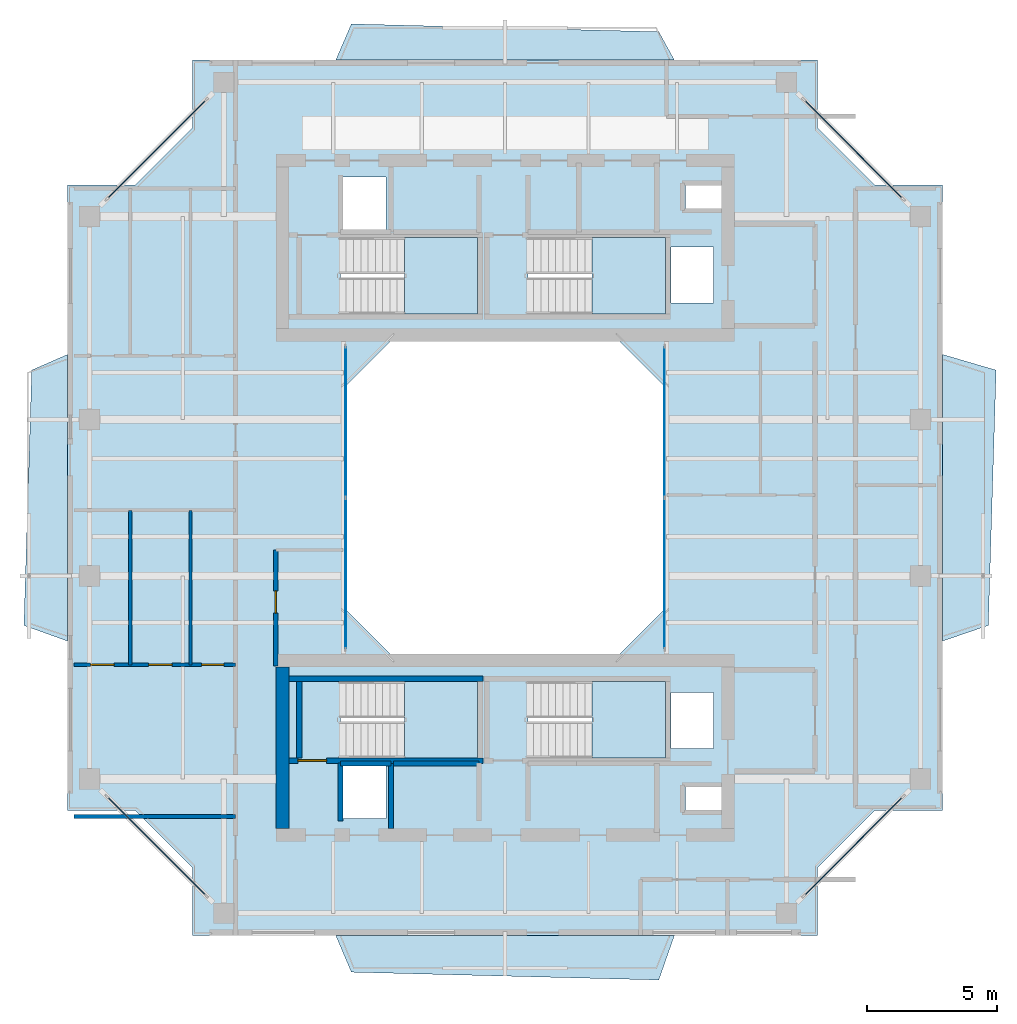
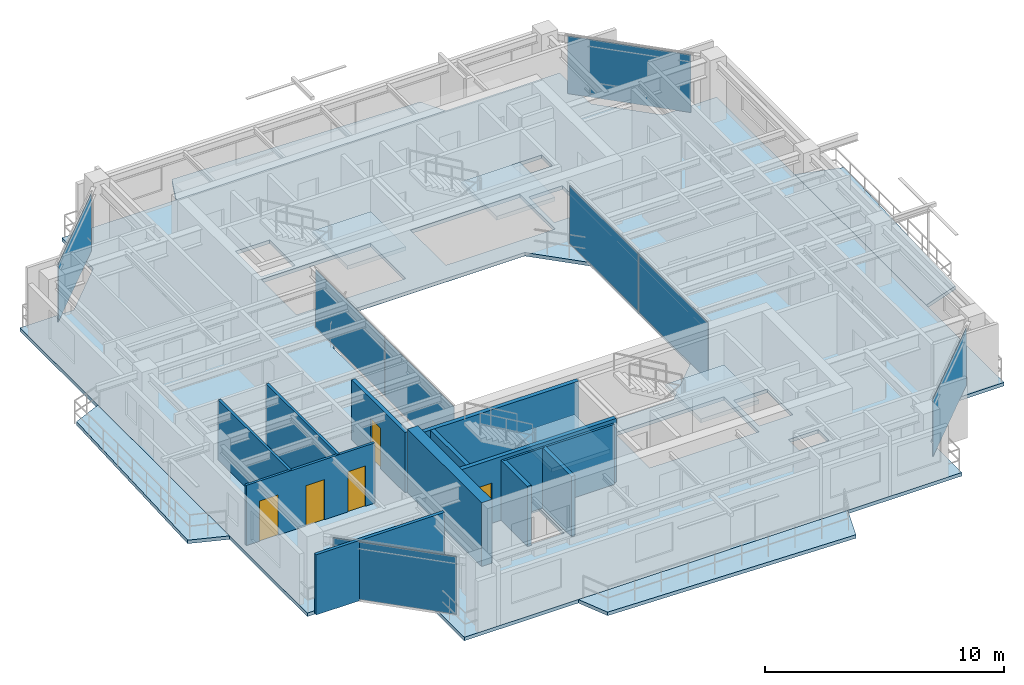
# One storey, part 9 of 16: 13 walls, 9 slabs, 8 plates, 5 doors, 5 openings, 10 elements without a shape of their own.
"""IFC4 building model written with IfcOpenShell, lengths in metres."""

from ifc_helpers import new_model, si_unit, direction, frame, frame_2d, origin, origin_2d, place, context, subcontext, project, spatial, polyline, rectangle, outline, extrude, source, transform, mapped, material, layer, layer_set, type_object, element, fill, aggregate, save


model = new_model("IFC4")

# Units and contexts
model_context = context("Model", 3, precision=1e-05, world=origin(), true_north=direction((0.0, 1.0)))
body_context = subcontext(model_context, "Body", "Model", "MODEL_VIEW")
ifc_project = project(units=[si_unit("LENGTHUNIT", "METRE"), si_unit("AREAUNIT", "SQUARE_METRE"), si_unit("VOLUMEUNIT", "CUBIC_METRE"), si_unit("PLANEANGLEUNIT", "RADIAN"), si_unit("MASSUNIT", "GRAM", prefix="KILO"), si_unit("THERMODYNAMICTEMPERATUREUNIT", "KELVIN"), si_unit("POWERUNIT", "WATT")], contexts=[model_context])

# Site, building, storey
site_placement = place(None, origin())
site = spatial("IfcSite", under=ifc_project, at=site_placement, CompositionType="ELEMENT")
building_placement = place(site_placement, origin())
building = spatial("IfcBuilding", under=site, at=building_placement, Name="Qiaomeng Ring Towers", CompositionType="ELEMENT")
storey_placement = place(building_placement, frame((0.0, 0.0, 197.0)))
storey = spatial("IfcBuildingStorey", under=building, at=storey_placement, Name="L57", CompositionType="ELEMENT", Elevation=197.0)

# Slabs
ifc_material_1 = material(Name="Concrete C40", Category="concrete")
ifc_layer_1 = layer(ifc_material_1, 0.179931640625, Name="Concrete C40")
ifc_layer_set_1 = layer_set([ifc_layer_1], Name="Concrete C40")
slab_type_1 = type_object("IfcSlabType", Name="STR-SL-180", PredefinedType="FLOOR", material=ifc_layer_set_1)
slab_1_placement = place(storey_placement, frame((0.0, 0.0, -0.179931640625)))
element("IfcSlab", 1, at=slab_1_placement, inside=storey, type_object=slab_type_1, Name="L57 Tower 1 Annular Floor Slab", PredefinedType="FLOOR", context=body_context, shape_type="SweptSolid", body=[
    extrude(outline(polyline([(7.0, 6.199951171875), (31.0, 6.199951171875), (31.0, 8.800048828125), (33.199951171875, 11.0), (35.800048828125, 11.0), (35.800048828125, 35.0), (33.199951171875, 35.0), (31.0, 37.199951171875), (31.0, 39.800048828125), (7.0, 39.800048828125), (7.0, 37.199951171875), (4.800048828125, 35.0), (2.199951171875, 35.0), (2.199951171875, 11.0), (4.800048828125, 11.0), (7.0, 8.800048828125), (7.0, 6.199951171875)]), holes=[polyline([(12.780029296875, 10.679931640625), (12.780029296875, 12.820068359375), (14.419921875, 12.820068359375), (14.419921875, 10.679931640625), (12.780029296875, 10.679931640625)]), polyline([(12.679931640625, 13.010009765625), (12.679931640625, 15.949951171875), (17.949951171875, 15.949951171875), (17.949951171875, 13.010009765625), (12.679931640625, 13.010009765625)]), polyline([(23.199951171875, 29.199951171875), (25.199951171875, 27.199951171875), (25.199951171875, 18.800048828125), (23.199951171875, 16.800048828125), (14.800048828125, 16.800048828125), (12.800048828125, 18.800048828125), (12.800048828125, 27.199951171875), (14.800048828125, 29.199951171875), (23.199951171875, 29.199951171875)]), polyline([(12.679931640625, 32.989990234375), (17.949951171875, 32.989990234375), (17.949951171875, 30.050048828125), (12.679931640625, 30.050048828125), (12.679931640625, 32.989990234375)]), polyline([(19.8798828125, 32.989990234375), (25.14990234375, 32.989990234375), (25.14990234375, 30.050048828125), (19.8798828125, 30.050048828125), (19.8798828125, 32.989990234375)]), polyline([(12.780029296875, 33.179931640625), (12.780029296875, 35.320068359375), (14.419921875, 35.320068359375), (14.419921875, 33.179931640625), (12.780029296875, 33.179931640625)]), polyline([(25.919921875, 11.89990234375), (27.360107421875, 11.89990234375), (27.360107421875, 11.0), (25.919921875, 11.0), (25.919921875, 11.89990234375)]), polyline([(25.360107421875, 15.52001953125), (27.0, 15.52001953125), (27.0, 13.3798828125), (25.360107421875, 13.3798828125), (25.360107421875, 15.52001953125)]), polyline([(19.8798828125, 13.010009765625), (19.8798828125, 15.949951171875), (25.14990234375, 15.949951171875), (25.14990234375, 13.010009765625), (19.8798828125, 13.010009765625)]), polyline([(25.360107421875, 32.6201171875), (27.0, 32.6201171875), (27.0, 30.47998046875), (25.360107421875, 30.47998046875), (25.360107421875, 32.6201171875)]), polyline([(25.919921875, 35.0), (27.360107421875, 35.0), (27.360107421875, 34.10009765625), (25.919921875, 34.10009765625), (25.919921875, 35.0)])]), origin(), (0.0, 0.0, 1.0), 0.179931640625),
])
ifc_layer_2 = layer(ifc_material_1, 0.179931640625, Name="Concrete C40")
ifc_layer_set_2 = layer_set([ifc_layer_2], Name="Concrete C40")
slab_type_2 = type_object("IfcSlabType", Name="STR-SL-BAL", PredefinedType="FLOOR", material=ifc_layer_set_2)
slab_2_placement = place(storey_placement, frame((0.0, 0.0, -0.179931640625)))
element("IfcSlab", 2, at=slab_2_placement, inside=storey, type_object=slab_type_2, Name="L57 Tower 1 S Faceted Balcony Slab", PredefinedType="FLOOR", context=body_context, shape_type="SweptSolid", body=[
    extrude(outline(polyline([(25.5, 6.199951171875), (24.89990234375, 4.489990234375), (13.10009765625, 4.7900390625), (12.5, 6.199951171875), (25.5, 6.199951171875)])), origin(), (0.0, 0.0, 1.0), 0.179931640625),
])
slab_3_placement = place(storey_placement, frame((0.0, 0.0, -0.179931640625)))
element("IfcSlab", 3, at=slab_3_placement, inside=storey, type_object=slab_type_2, Name="L57 Tower 1 E Faceted Balcony Slab", PredefinedType="FLOOR", context=body_context, shape_type="SweptSolid", body=[
    extrude(outline(polyline([(37.85009765625, 27.89990234375), (37.550048828125, 18.10009765625), (35.800048828125, 17.5), (35.800048828125, 28.5), (37.85009765625, 27.89990234375)])), origin(), (0.0, 0.0, 1.0), 0.179931640625),
])
slab_4_placement = place(storey_placement, frame((0.0, 0.0, -0.179931640625)))
element("IfcSlab", 4, at=slab_4_placement, inside=storey, type_object=slab_type_2, Name="L57 Tower 1 N Faceted Balcony Slab", PredefinedType="FLOOR", context=body_context, shape_type="SweptSolid", body=[
    extrude(outline(polyline([(12.5, 39.800048828125), (13.10009765625, 41.18994140625), (24.89990234375, 40.889892578125), (25.5, 39.800048828125), (12.5, 39.800048828125)])), origin(), (0.0, 0.0, 1.0), 0.179931640625),
])
slab_5_placement = place(storey_placement, frame((0.0, 0.0, -0.179931640625)))
element("IfcSlab", 5, at=slab_5_placement, inside=storey, type_object=slab_type_2, Name="L57 Tower 1 W Faceted Balcony Slab", PredefinedType="FLOOR", context=body_context, shape_type="SweptSolid", body=[
    extrude(outline(polyline([(0.530029296875, 18.10009765625), (0.830078125, 27.89990234375), (2.199951171875, 28.5), (2.199951171875, 17.5), (0.530029296875, 18.10009765625)])), origin(), (0.0, 0.0, 1.0), 0.179931640625),
])

# Stair, slab
ifc_material_2 = material(Name="Precast concrete C40", Category="concrete")
stair_type = type_object("IfcStairType", Name="ARC-ST-325", PredefinedType="HALF_TURN_STAIR", material=ifc_material_2)
stair_1_placement = place(storey_placement, origin())
stair_1 = element("IfcStair", 6, at=stair_1_placement, inside=storey, type_object=stair_type, Name="L57 Tower 1 North Stair 1", PredefinedType="HALF_TURN_STAIR")
ifc_layer_3 = layer(ifc_material_1, 0.199951171875, Name="Concrete C40")
ifc_layer_set_3 = layer_set([ifc_layer_3], Name="Concrete C40")
slab_type_3 = type_object("IfcSlabType", Name="STR-SL-LANDING", PredefinedType="LANDING", material=ifc_layer_set_3)
slab_6_placement = place(storey_placement, frame((0.0, 0.0, 1.425048828125)))
slab_6 = element("IfcSlab", 7, at=slab_6_placement, type_object=slab_type_3, Name="ST1 landing 1", PredefinedType="LANDING", context=body_context, shape_type="SweptSolid", body=[
    extrude(outline(polyline([(15.139892578125, 30.050048828125), (17.949951171875, 30.050048828125), (17.949951171875, 32.989990234375), (15.139892578125, 32.989990234375), (15.139892578125, 30.050048828125)])), origin(), (0.0, 0.0, 1.0), 0.199951171875),
])
aggregate(stair_1, [slab_6])

stair_2_placement = place(storey_placement, origin())
stair_2 = element("IfcStair", 8, at=stair_2_placement, inside=storey, type_object=stair_type, Name="L57 Tower 1 North Stair 2", PredefinedType="HALF_TURN_STAIR")
slab_7_placement = place(storey_placement, frame((0.0, 0.0, 1.425048828125)))
slab_7 = element("IfcSlab", 9, at=slab_7_placement, type_object=slab_type_3, Name="ST2 landing 1", PredefinedType="LANDING", context=body_context, shape_type="SweptSolid", body=[
    extrude(outline(polyline([(22.340087890625, 30.050048828125), (25.14990234375, 30.050048828125), (25.14990234375, 32.989990234375), (22.340087890625, 32.989990234375), (22.340087890625, 30.050048828125)])), origin(), (0.0, 0.0, 1.0), 0.199951171875),
])
aggregate(stair_2, [slab_7])

stair_3_placement = place(storey_placement, origin())
stair_3 = element("IfcStair", 10, at=stair_3_placement, inside=storey, type_object=stair_type, Name="L57 Tower 1 South Stair 3", PredefinedType="HALF_TURN_STAIR")
slab_8_placement = place(storey_placement, frame((0.0, 0.0, 1.425048828125)))
slab_8 = element("IfcSlab", 11, at=slab_8_placement, type_object=slab_type_3, Name="ST3 landing 1", PredefinedType="LANDING", context=body_context, shape_type="SweptSolid", body=[
    extrude(outline(polyline([(15.139892578125, 13.010009765625), (17.949951171875, 13.010009765625), (17.949951171875, 15.949951171875), (15.139892578125, 15.949951171875), (15.139892578125, 13.010009765625)])), origin(), (0.0, 0.0, 1.0), 0.199951171875),
])
aggregate(stair_3, [slab_8])

stair_4_placement = place(storey_placement, origin())
stair_4 = element("IfcStair", 12, at=stair_4_placement, inside=storey, type_object=stair_type, Name="L57 Tower 1 South Stair 4", PredefinedType="HALF_TURN_STAIR")
slab_9_placement = place(storey_placement, frame((0.0, 0.0, 1.425048828125)))
slab_9 = element("IfcSlab", 13, at=slab_9_placement, type_object=slab_type_3, Name="ST4 landing 1", PredefinedType="LANDING", context=body_context, shape_type="SweptSolid", body=[
    extrude(outline(polyline([(22.340087890625, 13.010009765625), (25.14990234375, 13.010009765625), (25.14990234375, 15.949951171875), (22.340087890625, 15.949951171875), (22.340087890625, 13.010009765625)])), origin(), (0.0, 0.0, 1.0), 0.199951171875),
])
aggregate(stair_4, [slab_9])

# Curtain wall, plates
ifc_material_3 = material(Name="Fluorocarbon dark-grey aluminium", Category="aluminium")
ifc_layer_4 = layer(ifc_material_3, 0.139892578125, Name="Fluorocarbon dark-grey aluminium")
ifc_layer_set_4 = layer_set([ifc_layer_4], Name="Fluorocarbon dark-grey aluminium")
curtain_wall_type_1 = type_object("IfcCurtainWallType", Name="ARC-CW-4", PredefinedType="NOTDEFINED", material=ifc_layer_set_4)
curtain_wall_1_placement = place(storey_placement, origin())
curtain_wall_1 = element("IfcCurtainWall", 14, at=curtain_wall_1_placement, inside=storey, type_object=curtain_wall_type_1, Name="L57 Curtain Wall CW4", PredefinedType="NOTDEFINED")
ifc_material_4 = material(Name="Low-E dark-grey laminated double glazing", Category="glass")
ifc_layer_5 = layer(ifc_material_4, 0.028076171875, Name="Low-E dark-grey laminated double glazing")
ifc_layer_set_5 = layer_set([ifc_layer_5], Name="Low-E dark-grey laminated double glazing")
plate_type = type_object("IfcPlateType", Name="ARC-CWP-DARK", PredefinedType="CURTAIN_PANEL", material=ifc_layer_set_5)
shared_shape_1 = source(origin(), body_context, "Body", "SweptSolid", [
    extrude(rectangle(XDim=5.75244140625, YDim=0.028076171875, at=origin_2d()), origin(), (0.0, 0.0, 1.0), 2.93994140625),
])
plate_1_placement = place(storey_placement, frame((12.8798828125, 20.09130859375, 0.06494140625), z_axis=(0.0, 0.0, 1.0), x_axis=(0.0, 1.0, 0.0)))
plate_1 = element("IfcPlate", 15, at=plate_1_placement, type_object=plate_type, Name="CW4 panel 1.1", PredefinedType="CURTAIN_PANEL", context=body_context, shape_type="MappedRepresentation", body=[
    mapped(shared_shape_1, transform((0.0, 0.0, 0.0), x_axis=(1.0, 0.0, 0.0), y_axis=(0.0, 1.0, 0.0), z_axis=(0.0, 0.0, 1.0), scale=1.0)),
])
plate_2_placement = place(storey_placement, frame((12.8798828125, 25.90869140625, 0.06494140625), z_axis=(0.0, 0.0, 1.0), x_axis=(0.0, 1.0, 0.0)))
plate_2 = element("IfcPlate", 16, at=plate_2_placement, type_object=plate_type, Name="CW4 panel 2.1", PredefinedType="CURTAIN_PANEL", context=body_context, shape_type="MappedRepresentation", body=[
    mapped(shared_shape_1, transform((0.0, 0.0, 0.0), x_axis=(1.0, 0.0, 0.0), y_axis=(0.0, 1.0, 0.0), z_axis=(0.0, 0.0, 1.0), scale=1.0)),
])
aggregate(curtain_wall_1, [plate_1, plate_2])

curtain_wall_2_placement = place(storey_placement, origin())
curtain_wall_2 = element("IfcCurtainWall", 17, at=curtain_wall_2_placement, inside=storey, type_object=curtain_wall_type_1, Name="L57 Curtain Wall CW4", PredefinedType="NOTDEFINED")
plate_3_placement = place(storey_placement, frame((25.1201171875, 20.09130859375, 0.06494140625), z_axis=(0.0, 0.0, 1.0), x_axis=(0.0, 1.0, 0.0)))
plate_3 = element("IfcPlate", 18, at=plate_3_placement, type_object=plate_type, Name="CW4 panel 1.1", PredefinedType="CURTAIN_PANEL", context=body_context, shape_type="MappedRepresentation", body=[
    mapped(shared_shape_1, transform((0.0, 0.0, 0.0), x_axis=(1.0, 0.0, 0.0), y_axis=(0.0, 1.0, 0.0), z_axis=(0.0, 0.0, 1.0), scale=1.0)),
])
plate_4_placement = place(storey_placement, frame((25.1201171875, 25.90869140625, 0.06494140625), z_axis=(0.0, 0.0, 1.0), x_axis=(0.0, 1.0, 0.0)))
plate_4 = element("IfcPlate", 19, at=plate_4_placement, type_object=plate_type, Name="CW4 panel 2.1", PredefinedType="CURTAIN_PANEL", context=body_context, shape_type="MappedRepresentation", body=[
    mapped(shared_shape_1, transform((0.0, 0.0, 0.0), x_axis=(1.0, 0.0, 0.0), y_axis=(0.0, 1.0, 0.0), z_axis=(0.0, 0.0, 1.0), scale=1.0)),
])
aggregate(curtain_wall_2, [plate_3, plate_4])

# Curtain wall, plate
ifc_layer_6 = layer(ifc_material_3, 0.14990234375, Name="Fluorocarbon dark-grey aluminium")
ifc_layer_set_6 = layer_set([ifc_layer_6], Name="Fluorocarbon dark-grey aluminium")
curtain_wall_type_2 = type_object("IfcCurtainWallType", Name="ARC-CW-3", PredefinedType="NOTDEFINED", material=ifc_layer_set_6)
curtain_wall_3_placement = place(storey_placement, origin())
curtain_wall_3 = element("IfcCurtainWall", 20, at=curtain_wall_3_placement, inside=storey, type_object=curtain_wall_type_2, Name="L57 Curtain Wall CW3", PredefinedType="NOTDEFINED")
shared_shape_2 = source(origin(), body_context, "Body", "SweptSolid", [
    extrude(rectangle(XDim=5.3330078125, YDim=0.028076171875, at=origin_2d()), origin(), (0.0, 0.0, 1.0), 2.93994140625),
])
plate_5_placement = place(storey_placement, frame((32.375, 9.625, 0.06494140625), z_axis=(0.0, 0.0, 1.0), x_axis=(0.707106781187, 0.707106781187, 0.0)))
plate_5 = element("IfcPlate", 21, at=plate_5_placement, type_object=plate_type, Name="CW3 panel 1.1", PredefinedType="CURTAIN_PANEL", context=body_context, shape_type="MappedRepresentation", body=[
    mapped(shared_shape_2, transform((0.0, 0.0, 0.0), x_axis=(1.0, 0.0, 0.0), y_axis=(0.0, 1.0, 0.0), z_axis=(0.0, 0.0, 1.0), scale=1.0)),
])
aggregate(curtain_wall_3, [plate_5])

curtain_wall_4_placement = place(storey_placement, origin())
curtain_wall_4 = element("IfcCurtainWall", 22, at=curtain_wall_4_placement, inside=storey, type_object=curtain_wall_type_2, Name="L57 Curtain Wall CW3", PredefinedType="NOTDEFINED")
plate_6_placement = place(storey_placement, frame((32.375, 36.375, 0.06494140625), z_axis=(0.0, 0.0, 1.0), x_axis=(-0.707106781187, 0.707106781187, 0.0)))
plate_6 = element("IfcPlate", 23, at=plate_6_placement, type_object=plate_type, Name="CW3 panel 1.1", PredefinedType="CURTAIN_PANEL", context=body_context, shape_type="MappedRepresentation", body=[
    mapped(shared_shape_2, transform((0.0, 0.0, 0.0), x_axis=(1.0, 0.0, 0.0), y_axis=(0.0, 1.0, 0.0), z_axis=(0.0, 0.0, 1.0), scale=1.0)),
])
aggregate(curtain_wall_4, [plate_6])

curtain_wall_5_placement = place(storey_placement, origin())
curtain_wall_5 = element("IfcCurtainWall", 24, at=curtain_wall_5_placement, inside=storey, type_object=curtain_wall_type_2, Name="L57 Curtain Wall CW3", PredefinedType="NOTDEFINED")
plate_7_placement = place(storey_placement, frame((5.625, 36.375, 0.06494140625), z_axis=(0.0, 0.0, 1.0), x_axis=(-0.707106781187, -0.707106781187, 0.0)))
plate_7 = element("IfcPlate", 25, at=plate_7_placement, type_object=plate_type, Name="CW3 panel 1.1", PredefinedType="CURTAIN_PANEL", context=body_context, shape_type="MappedRepresentation", body=[
    mapped(shared_shape_2, transform((0.0, 0.0, 0.0), x_axis=(1.0, 0.0, 0.0), y_axis=(0.0, 1.0, 0.0), z_axis=(0.0, 0.0, 1.0), scale=1.0)),
])
aggregate(curtain_wall_5, [plate_7])

curtain_wall_6_placement = place(storey_placement, origin())
curtain_wall_6 = element("IfcCurtainWall", 26, at=curtain_wall_6_placement, inside=storey, type_object=curtain_wall_type_2, Name="L57 Curtain Wall CW3", PredefinedType="NOTDEFINED")
plate_8_placement = place(storey_placement, frame((5.625, 9.625, 0.06494140625), z_axis=(0.0, 0.0, 1.0), x_axis=(0.707106781187, -0.707106781187, 0.0)))
plate_8 = element("IfcPlate", 27, at=plate_8_placement, type_object=plate_type, Name="CW3 panel 1.1", PredefinedType="CURTAIN_PANEL", context=body_context, shape_type="MappedRepresentation", body=[
    mapped(shared_shape_2, transform((0.0, 0.0, 0.0), x_axis=(1.0, 0.0, 0.0), y_axis=(0.0, 1.0, 0.0), z_axis=(0.0, 0.0, 1.0), scale=1.0)),
])
aggregate(curtain_wall_6, [plate_8])

# Walls
ifc_material_5 = material(Name="Autoclaved aerated concrete block", Category="concrete")
ifc_layer_7 = layer(ifc_material_5, 0.199951171875, Name="Autoclaved aerated concrete block")
ifc_layer_set_7 = layer_set([ifc_layer_7], Name="Autoclaved aerated concrete block")
wall_type_1 = type_object("IfcWallType", Name="ARC-WL-PW1", PredefinedType="PARTITIONING", material=ifc_layer_set_7)
wall_1_placement = place(storey_placement, frame((12.679931640625, 10.60009765625, 0.0), z_axis=(0.0, 0.0, 1.0), x_axis=(0.0, 1.0, 0.0)))
element("IfcWall", 28, at=wall_1_placement, inside=storey, type_object=wall_type_1, Name="L57 Interior Wall PW1", PredefinedType="PARTITIONING", context=body_context, shape_type="SweptSolid", body=[
    extrude(rectangle(XDim=2.2099609375, YDim=0.199951171875, at=frame_2d((1.10498046875, 0.0))), origin(), (0.0, 0.0, 1.0), 3.070068359375),
])
wall_2_placement = place(storey_placement, frame((14.719970703125, 12.800048828125, 0.0), z_axis=(0.0, 0.0, 1.0), x_axis=(1.0, 0.0, 0.0)))
element("IfcWall", 29, at=wall_2_placement, inside=storey, type_object=wall_type_1, Name="L57 Interior Wall PW1", PredefinedType="PARTITIONING", context=body_context, shape_type="SweptSolid", body=[
    extrude(rectangle(XDim=3.280029296875, YDim=0.199951171875, at=frame_2d((1.64013671875, 0.0))), origin(), (0.0, 0.0, 1.0), 3.070068359375),
])

# Wall, opening, door
ifc_layer_8 = layer(ifc_material_5, 0.179931640625, Name="Autoclaved aerated concrete block")
ifc_layer_set_8 = layer_set([ifc_layer_8], Name="Autoclaved aerated concrete block")
wall_type_2 = type_object("IfcWallType", Name="ARC-WL-PW2", PredefinedType="PARTITIONING", material=ifc_layer_set_8)
wall_3_placement = place(storey_placement, frame((10.199951171875, 16.550048828125, 0.0), z_axis=(0.0, 0.0, 1.0), x_axis=(0.0, 1.0, 0.0)))
wall_3 = element("IfcWall", 30, at=wall_3_placement, inside=storey, type_object=wall_type_2, Name="L57 Interior Wall PW2", PredefinedType="PARTITIONING", context=body_context, shape_type="SweptSolid", body=[
    extrude(rectangle(XDim=4.449951171875, YDim=0.179931640625, at=frame_2d((2.22509765625, 0.0))), origin(), (0.0, 0.0, 1.0), 3.070068359375),
])
opening_1_placement = place(wall_3_placement, frame((2.02490234375, 0.0, 0.0)))
opening_1 = element("IfcOpeningElement", 31, at=opening_1_placement, cuts=wall_3, Name="Opening ID2", PredefinedType="OPENING", context=body_context, shape_type="SweptSolid", body=[
    extrude(rectangle(XDim=0.85009765625, YDim=2.050048828125, at=frame_2d((0.425048828125, 1.02490234375))), frame((0.0, 0.099853515625, 0.0), z_axis=(0.0, -1.0, 0.0), x_axis=(1.0, 0.0, 0.0)), (0.0, 0.0, 1.0), 0.199951171875),
])
ifc_material_6 = material(Name="Moisture-resistant engineered timber", Category="wood")
door_type_1 = type_object("IfcDoorType", Name="ARC-DR-ID2", OperationType="NOTDEFINED", PredefinedType="DOOR", material=ifc_material_6)
shared_shape_3 = source(origin(), body_context, "Body", "SweptSolid", [
    extrude(rectangle(XDim=0.85009765625, YDim=2.050048828125, at=frame_2d((0.425048828125, 1.02490234375))), frame((0.0, 0.02490234375, 0.0), z_axis=(0.0, -1.0, 0.0), x_axis=(1.0, 0.0, 0.0)), (0.0, 0.0, 1.0), 0.050048828125),
])
door_1_placement = place(opening_1_placement, origin())
door_1 = element("IfcDoor", 32, at=door_1_placement, inside=storey, type_object=door_type_1, Name="L57 Door ID2", OperationType="SINGLE_SWING_RIGHT", OverallHeight=2.050048828125, OverallWidth=0.85009765625, PredefinedType="DOOR", context=body_context, shape_type="MappedRepresentation", body=[
    mapped(shared_shape_3, transform((0.0, 0.0, 0.0), x_axis=(1.0, 0.0, 0.0), y_axis=(0.0, 1.0, 0.0), z_axis=(0.0, 0.0, 1.0), scale=1.0)),
])
fill(opening_1, door_1)

# Wall
ifc_material_7 = material(Name="Gypsum fireboard steel-stud partition", Category="steel")
ifc_layer_9 = layer(ifc_material_7, 0.14990234375, Name="Gypsum fireboard steel-stud partition")
ifc_layer_set_9 = layer_set([ifc_layer_9], Name="Gypsum fireboard steel-stud partition")
wall_type_3 = type_object("IfcWallType", Name="ARC-WL-PW3", PredefinedType="PARTITIONING", material=ifc_layer_set_9)
wall_4_placement = place(storey_placement, frame((2.449951171875, 10.77001953125, 0.0), z_axis=(0.0, 0.0, 1.0), x_axis=(1.0, 0.0, 0.0)))
element("IfcWall", 33, at=wall_4_placement, inside=storey, type_object=wall_type_3, Name="L57 Interior Wall PW3", PredefinedType="PARTITIONING", context=body_context, shape_type="SweptSolid", body=[
    extrude(rectangle(XDim=6.199951171875, YDim=0.14990234375, at=frame_2d((3.10009765625, 0.0))), origin(), (0.0, 0.0, 1.0), 3.070068359375),
])

# Wall, openings, doors
ifc_material_8 = material(Name="Moisture-resistant gypsum steel-stud partition", Category="steel")
ifc_layer_10 = layer(ifc_material_8, 0.1201171875, Name="Moisture-resistant gypsum steel-stud partition")
ifc_layer_set_10 = layer_set([ifc_layer_10], Name="Moisture-resistant gypsum steel-stud partition")
wall_type_4 = type_object("IfcWallType", Name="ARC-WL-PW4", PredefinedType="PLUMBINGWALL", material=ifc_layer_set_10)
wall_5_placement = place(storey_placement, frame((2.449951171875, 16.590087890625, 0.0), z_axis=(0.0, 0.0, 1.0), x_axis=(1.0, 0.0, 0.0)))
wall_5 = element("IfcWall", 34, at=wall_5_placement, inside=storey, type_object=wall_type_4, Name="L57 Interior Wall PW4", PredefinedType="PLUMBINGWALL", context=body_context, shape_type="SweptSolid", body=[
    extrude(rectangle(XDim=6.199951171875, YDim=0.1201171875, at=frame_2d((3.10009765625, 0.0))), origin(), (0.0, 0.0, 1.0), 3.070068359375),
])
opening_2_placement = place(wall_5_placement, frame((0.639892578125, 0.0, 0.0)))
opening_2 = element("IfcOpeningElement", 35, at=opening_2_placement, cuts=wall_5, Name="Opening ID1", PredefinedType="OPENING", context=body_context, shape_type="SweptSolid", body=[
    extrude(rectangle(XDim=0.89990234375, YDim=2.050048828125, at=frame_2d((0.449951171875, 1.02490234375))), frame((0.0, 0.070068359375, 0.0), z_axis=(0.0, -1.0, 0.0), x_axis=(1.0, 0.0, 0.0)), (0.0, 0.0, 1.0), 0.14013671875),
])
opening_3_placement = place(wall_5_placement, frame((2.8701171875, 0.0, 0.0)))
opening_3 = element("IfcOpeningElement", 36, at=opening_3_placement, cuts=wall_5, Name="Opening ID1", PredefinedType="OPENING", context=body_context, shape_type="SweptSolid", body=[
    extrude(rectangle(XDim=0.89990234375, YDim=2.050048828125, at=frame_2d((0.449951171875, 1.02490234375))), frame((0.0, 0.070068359375, 0.0), z_axis=(0.0, -1.0, 0.0), x_axis=(1.0, 0.0, 0.0)), (0.0, 0.0, 1.0), 0.14013671875),
])
opening_4_placement = place(wall_5_placement, frame((4.905029296875, 0.0, 0.0)))
opening_4 = element("IfcOpeningElement", 37, at=opening_4_placement, cuts=wall_5, Name="Opening ID2", PredefinedType="OPENING", context=body_context, shape_type="SweptSolid", body=[
    extrude(rectangle(XDim=0.85009765625, YDim=2.050048828125, at=frame_2d((0.425048828125, 1.02490234375))), frame((0.0, 0.070068359375, 0.0), z_axis=(0.0, -1.0, 0.0), x_axis=(1.0, 0.0, 0.0)), (0.0, 0.0, 1.0), 0.14013671875),
])
door_2_placement = place(opening_4_placement, origin())
door_2 = element("IfcDoor", 38, at=door_2_placement, inside=storey, type_object=door_type_1, Name="L57 Door ID2", OperationType="SINGLE_SWING_RIGHT", OverallHeight=2.050048828125, OverallWidth=0.85009765625, PredefinedType="DOOR", context=body_context, shape_type="MappedRepresentation", body=[
    mapped(shared_shape_3, transform((0.0, 0.0, 0.0), x_axis=(1.0, 0.0, 0.0), y_axis=(0.0, 1.0, 0.0), z_axis=(0.0, 0.0, 1.0), scale=1.0)),
])
fill(opening_4, door_2)
ifc_material_9 = material(Name="Engineered oak timber", Category="wood")
door_type_2 = type_object("IfcDoorType", Name="ARC-DR-ID1", OperationType="NOTDEFINED", PredefinedType="DOOR", material=ifc_material_9)
shared_shape_4 = source(origin(), body_context, "Body", "SweptSolid", [
    extrude(rectangle(XDim=0.89990234375, YDim=2.050048828125, at=frame_2d((0.449951171875, 1.02490234375))), frame((0.0, 0.02490234375, 0.0), z_axis=(0.0, -1.0, 0.0), x_axis=(1.0, 0.0, 0.0)), (0.0, 0.0, 1.0), 0.050048828125),
])
door_3_placement = place(opening_2_placement, origin())
door_3 = element("IfcDoor", 39, at=door_3_placement, inside=storey, type_object=door_type_2, Name="L57 Door ID1", OperationType="SINGLE_SWING_RIGHT", OverallHeight=2.050048828125, OverallWidth=0.89990234375, PredefinedType="DOOR", context=body_context, shape_type="MappedRepresentation", body=[
    mapped(shared_shape_4, transform((0.0, 0.0, 0.0), x_axis=(1.0, 0.0, 0.0), y_axis=(0.0, 1.0, 0.0), z_axis=(0.0, 0.0, 1.0), scale=1.0)),
])
fill(opening_2, door_3)
door_4_placement = place(opening_3_placement, origin())
door_4 = element("IfcDoor", 40, at=door_4_placement, inside=storey, type_object=door_type_2, Name="L57 Door ID1", OperationType="SINGLE_SWING_LEFT", OverallHeight=2.050048828125, OverallWidth=0.89990234375, PredefinedType="DOOR", context=body_context, shape_type="MappedRepresentation", body=[
    mapped(shared_shape_4, transform((0.0, 0.0, 0.0), x_axis=(1.0, 0.0, 0.0), y_axis=(0.0, 1.0, 0.0), z_axis=(0.0, 0.0, 1.0), scale=1.0)),
])
fill(opening_3, door_4)

# Walls
for number, where, z_axis, x_axis, name in (
    (41, (4.610107421875, 16.590087890625, 0.0), (0.0, 0.0, 1.0), (0.0, 1.0, 0.0), "L57 Interior Wall PW4"),
    (42, (6.929931640625, 16.590087890625, 0.0), (0.0, 0.0, 1.0), (0.0, 1.0, 0.0), "L57 Interior Wall PW4"),
):
    element("IfcWall", number, at=place(storey_placement, frame(where, z_axis=z_axis, x_axis=x_axis)), inside=storey, type_object=wall_type_4, Name=name, PredefinedType="PLUMBINGWALL", context=body_context, shape_type="SweptSolid", body=[
        extrude(rectangle(XDim=5.929931640625, YDim=0.1201171875, at=frame_2d((2.96484375, 0.0))), origin(), (0.0, 0.0, 1.0), 3.070068359375),
    ])
ifc_layer_11 = layer(ifc_material_1, 0.199951171875, Name="Concrete C40")
ifc_layer_set_11 = layer_set([ifc_layer_11], Name="Concrete C40")
wall_type_5 = type_object("IfcWallType", Name="STR-WL-STSHAFT", PredefinedType="SHEAR", material=ifc_layer_set_11)
wall_6_placement = place(storey_placement, frame((12.679931640625, 12.800048828125, 0.0), z_axis=(0.0, 0.0, 1.0), x_axis=(1.0, 0.0, 0.0)))
element("IfcWall", 43, at=wall_6_placement, inside=storey, type_object=wall_type_5, Name="L57 Lift LP6 Shaft Back Wall", PredefinedType="SHEAR", context=body_context, shape_type="SweptSolid", body=[
    extrude(rectangle(XDim=1.940185546875, YDim=0.179931640625, at=frame_2d((0.97021484375, 0.0))), origin(), (0.0, 0.0, 1.0), 3.070068359375),
])
wall_7_placement = place(storey_placement, frame((14.6201171875, 10.300048828125, 0.0), z_axis=(0.0, 0.0, 1.0), x_axis=(0.0, 1.0, 0.0)))
element("IfcWall", 44, at=wall_7_placement, inside=storey, type_object=wall_type_5, Name="L57 Lift LP6-LP4 Shaft Divider Wall", PredefinedType="SHEAR", context=body_context, shape_type="SweptSolid", body=[
    extrude(rectangle(XDim=2.5, YDim=0.179931640625, at=frame_2d((1.25, 0.0))), origin(), (0.0, 0.0, 1.0), 3.070068359375),
])

# Wall, opening, door
wall_8_placement = place(storey_placement, frame((10.699951171875, 12.909912109375, 0.0), z_axis=(0.0, 0.0, 1.0), x_axis=(1.0, 0.0, 0.0)))
wall_8 = element("IfcWall", 45, at=wall_8_placement, inside=storey, type_object=wall_type_5, Name="L57 Stair ST3 South Shaft Shear Wall", PredefinedType="SHEAR", context=body_context, shape_type="SweptSolid", body=[
    extrude(rectangle(XDim=7.449951171875, YDim=0.199951171875, at=frame_2d((3.72509765625, 0.0))), origin(), (0.0, 0.0, 1.0), 3.25),
])
opening_5_placement = place(wall_8_placement, frame((0.35009765625, 0.0, 0.0)))
opening_5 = element("IfcOpeningElement", 46, at=opening_5_placement, cuts=wall_8, Name="Opening FD3", PredefinedType="OPENING", context=body_context, shape_type="SweptSolid", body=[
    extrude(rectangle(XDim=1.10009765625, YDim=2.050048828125, at=frame_2d((0.550048828125, 1.02490234375))), frame((0.0, 0.10986328125, 0.0), z_axis=(0.0, -1.0, 0.0), x_axis=(1.0, 0.0, 0.0)), (0.0, 0.0, 1.0), 0.219970703125),
])
ifc_material_10 = material(Name="Galvanised steel", Category="steel")
door_type_3 = type_object("IfcDoorType", Name="ARC-DR-FD3", OperationType="NOTDEFINED", PredefinedType="DOOR", material=ifc_material_10)
shared_shape_5 = source(origin(), body_context, "Body", "SweptSolid", [
    extrude(rectangle(XDim=1.10009765625, YDim=2.050048828125, at=frame_2d((0.550048828125, 1.02490234375))), frame((0.0, 0.02490234375, 0.0), z_axis=(0.0, -1.0, 0.0), x_axis=(1.0, 0.0, 0.0)), (0.0, 0.0, 1.0), 0.050048828125),
])
door_5_placement = place(opening_5_placement, frame((1.10009765625, 0.0, 0.0), z_axis=(0.0, 0.0, 1.0), x_axis=(-1.0, 0.0, 0.0)))
door_5 = element("IfcDoor", 47, at=door_5_placement, inside=storey, type_object=door_type_3, Name="L57 Stair ST3 Exit Door", OperationType="SINGLE_SWING_LEFT", OverallHeight=2.050048828125, OverallWidth=1.10009765625, PredefinedType="DOOR", context=body_context, shape_type="MappedRepresentation", body=[
    mapped(shared_shape_5, transform((0.0, 0.0, 0.0), x_axis=(1.0, 0.0, 0.0), y_axis=(0.0, 1.0, 0.0), z_axis=(0.0, 0.0, 1.0), scale=1.0)),
])
fill(opening_5, door_5)

# Walls
wall_9_placement = place(storey_placement, frame((10.699951171875, 16.050048828125, 0.0), z_axis=(0.0, 0.0, 1.0), x_axis=(1.0, 0.0, 0.0)))
element("IfcWall", 48, at=wall_9_placement, inside=storey, type_object=wall_type_5, Name="L57 Stair ST3 North Shaft Shear Wall", PredefinedType="SHEAR", context=body_context, shape_type="SweptSolid", body=[
    extrude(rectangle(XDim=7.449951171875, YDim=0.199951171875, at=frame_2d((3.72509765625, 0.0))), origin(), (0.0, 0.0, 1.0), 3.25),
])
wall_10_placement = place(storey_placement, frame((11.10009765625, 13.010009765625, 0.0), z_axis=(0.0, 0.0, 1.0), x_axis=(0.0, 1.0, 0.0)))
element("IfcWall", 49, at=wall_10_placement, inside=storey, type_object=wall_type_5, Name="L57 Stair ST3 West Shaft Shear Wall", PredefinedType="SHEAR", context=body_context, shape_type="SweptSolid", body=[
    extrude(rectangle(XDim=2.93994140625, YDim=0.199951171875, at=frame_2d((1.469970703125, 0.0))), origin(), (0.0, 0.0, 1.0), 3.25),
])
ifc_layer_12 = layer(ifc_material_1, 0.5, Name="Concrete C40")
ifc_layer_set_12 = layer_set([ifc_layer_12], Name="Concrete C40")
wall_type_6 = type_object("IfcWallType", Name="STR-WL-SW3", PredefinedType="SHEAR", material=ifc_layer_set_12)
wall_11_placement = place(storey_placement, frame((10.449951171875, 10.300048828125, 0.0), z_axis=(0.0, 0.0, 1.0), x_axis=(0.0, 1.0, 0.0)))
element("IfcWall", 50, at=wall_11_placement, inside=storey, type_object=wall_type_6, Name="L57 T1SC west core shear wall", PredefinedType="SHEAR", context=body_context, shape_type="SweptSolid", body=[
    extrude(rectangle(XDim=6.199951171875, YDim=0.5, at=frame_2d((3.10009765625, 0.0))), origin(), (0.0, 0.0, 1.0), 3.25),
])

save(model, "model.ifc")
